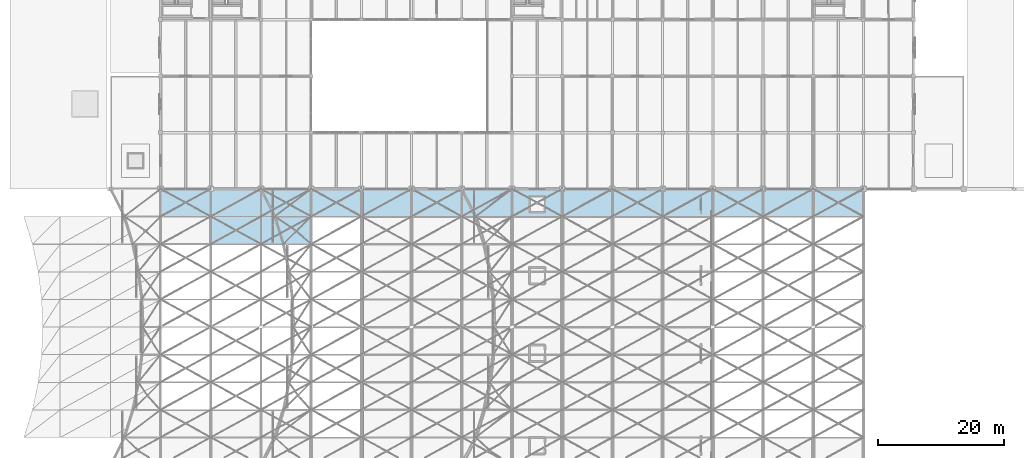
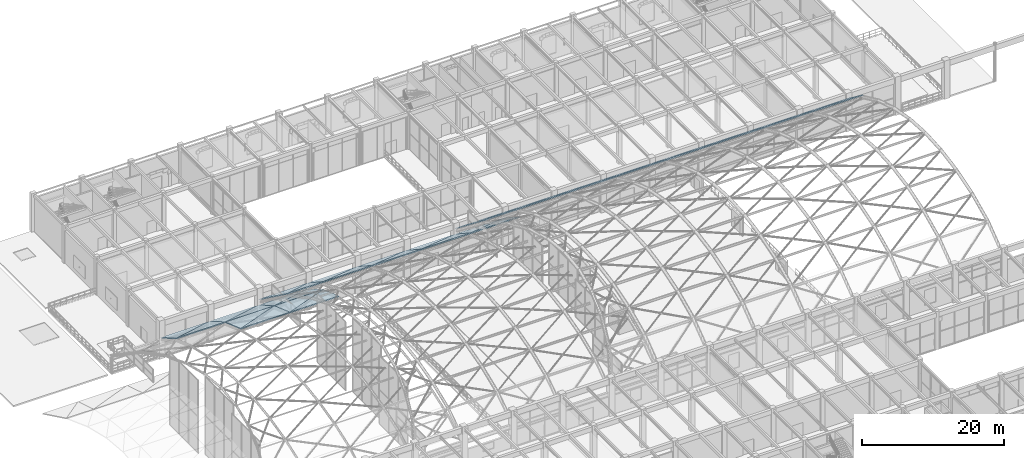
# One storey, part 139 of 163: 36 roofs.
"""IFC4 building model written with IfcOpenShell, lengths in metres."""

import ifcopenshell
import ifcopenshell.guid

model = None  # the IFC model being written
_history = None  # IfcOwnerHistory: only IFC2X3 demands one
_inside = {}  # id of a spatial element -> (the spatial element, [elements in it])
_under = {}  # id of a project, library or spatial element -> (it, [spatial elements below it])
_declared = {}  # id of a project -> (the project, [libraries it declares])
_typed = {}  # id of a type object -> (the type object, [elements of that type])
_made_of = {}  # id of a material, layer set ... -> (it, [elements and type objects made of it])


def new_model(schema):
    """Start an empty IFC model of exactly this schema.

    Asked for "IFC4X3", IfcOpenShell would pick the latest addendum, in which some entities
    have other attributes; the version numbers below select the first issue.
    IFC2X3 requires an IfcOwnerHistory on every rooted entity: one is made here for all.
    """
    global model, _history
    if schema == "IFC4X3":
        model = ifcopenshell.file(schema_version=(4, 3, 0, 0))
    else:
        model = ifcopenshell.file(schema=schema)
    _inside.clear()
    _under.clear()
    _declared.clear()
    _typed.clear()
    _made_of.clear()
    _history = None
    if model.schema == "IFC2X3":
        org = make("IfcOrganization", Name="unknown")
        user = make(
            "IfcPersonAndOrganization",
            ThePerson=make("IfcPerson", FamilyName="unknown"),
            TheOrganization=org,
        )
        app = make(
            "IfcApplication",
            ApplicationDeveloper=org,
            Version="unknown",
            ApplicationFullName="unknown",
            ApplicationIdentifier="unknown",
        )
        _history = make(
            "IfcOwnerHistory",
            OwningUser=user,
            OwningApplication=app,
            ChangeAction="ADDED",
            CreationDate=0,
        )
    return model


def make(cls, **values):
    """One entity of the class cls with the attributes given. An attribute that is None is left unset."""
    return model.create_entity(
        cls, **{name: value for name, value in values.items() if value is not None}
    )


def rooted(cls, **values):
    """An entity with a GlobalId (a new one), such as an element, a storey or a relation."""
    return make(cls, GlobalId=ifcopenshell.guid.new(), OwnerHistory=_history, **values)


def si_unit(unit_type, name, prefix=None):
    """IfcSIUnit, for example si_unit("LENGTHUNIT", "METRE", prefix="MILLI")."""
    return make("IfcSIUnit", UnitType=unit_type, Prefix=prefix, Name=name)


def assignment(units):
    """IfcUnitAssignment: the units of a project."""
    return None if units is None else make("IfcUnitAssignment", Units=units)


def point(xyz):
    """IfcCartesianPoint."""
    return None if xyz is None else make("IfcCartesianPoint", Coordinates=xyz)


def direction(xyz):
    """IfcDirection."""
    return None if xyz is None else make("IfcDirection", DirectionRatios=xyz)


def frame(location, z_axis=None, x_axis=None):
    """IfcAxis2Placement3D, a coordinate frame: its origin and axes. An axis left out is left unset."""
    return make(
        "IfcAxis2Placement3D",
        Location=point(location),
        Axis=direction(z_axis),
        RefDirection=direction(x_axis),
    )


def origin():
    """The frame at (0, 0, 0) with its axes left unset."""
    return frame((0.0, 0.0, 0.0))


def place(relative_to, where):
    """IfcLocalPlacement: puts the frame where relative to a parent placement (None: the world)."""
    return make(
        "IfcLocalPlacement", PlacementRelTo=relative_to, RelativePlacement=where
    )


def context(
    kind, dimensions, precision=None, world=None, true_north=None, identifier=None
):
    """IfcGeometricRepresentationContext, for example the 3D "Model" context."""
    return make(
        "IfcGeometricRepresentationContext",
        ContextIdentifier=identifier,
        ContextType=kind,
        CoordinateSpaceDimension=dimensions,
        Precision=precision,
        WorldCoordinateSystem=world,
        TrueNorth=true_north,
    )


def subcontext(parent, identifier, kind, view, scale=None):
    """IfcGeometricRepresentationSubContext, for example "Body" below "Model"."""
    return make(
        "IfcGeometricRepresentationSubContext",
        ContextIdentifier=identifier,
        ContextType=kind,
        ParentContext=parent,
        TargetScale=scale,
        TargetView=view,
    )


def project(units=None, contexts=None):
    """IfcProject with its units and contexts."""
    return rooted(
        "IfcProject",
        Name="project",
        RepresentationContexts=contexts,
        UnitsInContext=assignment(units),
    )


def spatial(cls, under=None, at=None, **own):
    """A site, building, storey or space (cls), placed at a placement, below another one or the project."""
    s = rooted(cls, ObjectPlacement=at, **own)
    if under is not None:
        _under.setdefault(under.id(), (under, []))[1].append(s)
    return s


def polyline(points):
    """IfcPolyline through the points."""
    return make("IfcPolyline", Points=[point(p) for p in points])


def outline(outer, holes=None, kind="AREA"):
    """IfcArbitraryClosedProfileDef: a profile drawn as a closed curve; with holes, ...WithVoids."""
    if holes is None:
        return make("IfcArbitraryClosedProfileDef", ProfileType=kind, OuterCurve=outer)
    return make(
        "IfcArbitraryProfileDefWithVoids",
        ProfileType=kind,
        OuterCurve=outer,
        InnerCurves=holes,
    )


def extrude(swept, where, along, depth):
    """IfcExtrudedAreaSolid: the profile swept, set in the frame where, extruded along a direction by depth."""
    return make(
        "IfcExtrudedAreaSolid",
        SweptArea=swept,
        Position=where,
        ExtrudedDirection=direction(along),
        Depth=depth,
    )


def shape(context_of_items, identifier, shape_type, items):
    """IfcShapeRepresentation: the items that make up one representation, for example the "Body"."""
    return make(
        "IfcShapeRepresentation",
        ContextOfItems=context_of_items,
        RepresentationIdentifier=identifier,
        RepresentationType=shape_type,
        Items=items,
    )


def material(Name=None, Category=None):
    """IfcMaterial."""
    return make("IfcMaterial", Name=Name, Category=Category)


def layer(
    of_material, thickness, ventilated=None, Name=None, Category=None, Priority=None
):
    """IfcMaterialLayer: one layer of a wall or slab, of a material (None: an air gap)."""
    return make(
        "IfcMaterialLayer",
        Material=of_material,
        LayerThickness=thickness,
        IsVentilated=ventilated,
        Name=Name,
        Category=Category,
        Priority=Priority,
    )


def layer_set(layers, Name=None):
    """IfcMaterialLayerSet."""
    return make("IfcMaterialLayerSet", MaterialLayers=layers, LayerSetName=Name)


def made_of(thing, what):
    """Note that an element or type object is made of a material, layer set ...; save() writes the relation."""
    if what is not None:
        _made_of.setdefault(what.id(), (what, []))[1].append(thing)
    return thing


def type_object(cls, material=None, **own):
    """A type object (cls), such as IfcWallType, which elements share."""
    return made_of(rooted(cls, **own), material)


def element(
    cls,
    number,
    at=None,
    inside=None,
    cuts=None,
    type_object=None,
    material=None,
    context=None,
    identifier="Body",
    shape_type=None,
    held_by="IfcProductDefinitionShape",
    body=None,
    shapes=None,
    **own,
):
    """One element of the class cls, such as IfcWall. Its Tag is "e" and its number.

    at: its placement. inside: the storey or other place that contains it. cuts: it is an
    opening in that element (IfcRelVoidsElement). A single representation is given by context,
    identifier, shape_type and body (its items); several are given by shapes. held_by: the class
    of the entity that holds the representations. save() writes the other relations.
    """
    e = rooted(cls, Tag="e%d" % number, ObjectPlacement=at, **own)
    if body is not None:
        shapes = [shape(context, identifier, shape_type, body)]
    if shapes is not None:
        e.Representation = make(held_by, Representations=shapes)
    if inside is not None:
        _inside.setdefault(inside.id(), (inside, []))[1].append(e)
    if cuts is not None:
        rooted(
            "IfcRelVoidsElement", RelatingBuildingElement=cuts, RelatedOpeningElement=e
        )
    if type_object is not None:
        _typed.setdefault(type_object.id(), (type_object, []))[1].append(e)
    return made_of(e, material)


def aggregate(whole, parts):
    """IfcRelAggregates: a whole, such as a stair, and the parts it consists of."""
    return rooted("IfcRelAggregates", RelatingObject=whole, RelatedObjects=parts)


def save(model, path):
    """Write the relations noted so far, then the file.

    IfcRelAggregates (storeys below a building ...), IfcRelContainedInSpatialStructure (elements
    in a storey), IfcRelDefinesByType, IfcRelAssociatesMaterial and IfcRelDeclares: one each for
    every whole, place, type object, material and project.
    """
    for whole, parts in _under.values():
        aggregate(whole, parts)
    for where, things in _inside.values():
        rooted(
            "IfcRelContainedInSpatialStructure",
            RelatedElements=things,
            RelatingStructure=where,
        )
    for kind, things in _typed.values():
        rooted("IfcRelDefinesByType", RelatedObjects=things, RelatingType=kind)
    for what, things in _made_of.values():
        rooted("IfcRelAssociatesMaterial", RelatedObjects=things, RelatingMaterial=what)
    for by, libraries in _declared.values():
        rooted("IfcRelDeclares", RelatingContext=by, RelatedDefinitions=libraries)
    model.write(path)


model = new_model("IFC4")

# Units and contexts
model_context = context("Model", 3, precision=1e-05, world=origin(), true_north=direction((0.0, 1.0)))
body_context = subcontext(model_context, "Body", "Model", "MODEL_VIEW")
ifc_project = project(units=[si_unit("LENGTHUNIT", "METRE"), si_unit("AREAUNIT", "SQUARE_METRE"), si_unit("VOLUMEUNIT", "CUBIC_METRE"), si_unit("PLANEANGLEUNIT", "RADIAN"), si_unit("MASSUNIT", "GRAM", prefix="KILO")], contexts=[model_context])

# Site, building, storey
site_placement = place(None, origin())
site = spatial("IfcSite", under=ifc_project, at=site_placement, CompositionType="ELEMENT")
building_placement = place(site_placement, origin())
building = spatial("IfcBuilding", under=site, at=building_placement, Name="Varnabhumi Central Station", CompositionType="ELEMENT")
storey_placement = place(building_placement, frame((0.0, 0.0, 9.60009765625)))
storey = spatial("IfcBuildingStorey", under=building, at=storey_placement, Name="L02", CompositionType="ELEMENT", Elevation=9.60009765625)

# Roofs
ifc_material = material(Name="Champagne bronze diamond metal panel")
ifc_layer = layer(ifc_material, 0.159912109375, Name="Champagne bronze diamond metal panel")
ifc_layer_set = layer_set([ifc_layer], Name="Champagne bronze diamond metal panel")
roof_type = type_object("IfcRoofType", Name="ROOF-VAULT-BARREL", PredefinedType="BARREL_ROOF", material=ifc_layer_set)
roof_1_placement = place(storey_placement, frame((24.0, 75.60009765625, 5.92626953125), z_axis=(0.0, 0.502121625762, 0.864797012565), x_axis=(1.0, 0.0, 0.0)))
element("IfcRoof", 1, at=roof_1_placement, inside=storey, type_object=roof_type, Name="Entrance Portico Vault Diamond Shell Panel 2-10A", PredefinedType="BARREL_ROOF", context=body_context, shape_type="SweptSolid", body=[
    extrude(outline(polyline([(0.0, 0.0), (8.0, 0.0), (8.0, 5.087786243268578), (0.0, 0.0)])), origin(), (0.0, 0.0, -1.0), 0.159912109375),
])
roof_2_placement = place(storey_placement, frame((24.0, 75.60009765625, 5.92626953125), z_axis=(0.0, 0.502121625762, 0.864797012565), x_axis=(0.843810647871, 0.464085555906, -0.26945906431)))
element("IfcRoof", 2, at=roof_2_placement, inside=storey, type_object=roof_type, Name="Entrance Portico Vault Diamond Shell Panel 2-10B", PredefinedType="BARREL_ROOF", context=body_context, shape_type="SweptSolid", body=[
    extrude(outline(polyline([(0.0, 0.0), (9.480800011454361, -2.220446049250313e-16), (2.7303148284869403, 4.293128206161252), (0.0, 0.0)])), origin(), (0.0, 0.0, -1.0), 0.159912109375),
])
roof_3_placement = place(storey_placement, frame((32.0, 71.199951171875, 7.484375), z_axis=(0.0, 0.336670653094, 0.941622467523), x_axis=(1.0, 0.0, 0.0)))
element("IfcRoof", 3, at=roof_3_placement, inside=storey, type_object=roof_type, Name="Entrance Portico Vault Diamond Shell Panel 3-9A", PredefinedType="BARREL_ROOF", context=body_context, shape_type="SweptSolid", body=[
    extrude(outline(polyline([(0.0, 0.0), (8.0, 0.0), (8.0, 4.6729412648232005), (0.0, 0.0)])), origin(), (0.0, 0.0, -1.0), 0.159912109375),
])
roof_4_placement = place(storey_placement, frame((32.0, 71.199951171875, 7.484375), z_axis=(0.0, 0.336670653094, 0.941622467523), x_axis=(0.86348399062, 0.474932005705, -0.169808680284)))
element("IfcRoof", 4, at=roof_4_placement, inside=storey, type_object=roof_type, Name="Entrance Portico Vault Diamond Shell Panel 3-9B", PredefinedType="BARREL_ROOF", context=body_context, shape_type="SweptSolid", body=[
    extrude(outline(polyline([(0.0, 0.0), (9.264792499807402, 5.551115123125783e-17), (2.3569205748473485, 4.035009971282438), (0.0, 0.0)])), origin(), (0.0, 0.0, -1.0), 0.159912109375),
])
roof_5_placement = place(storey_placement, frame((32.0, 75.60009765625, 5.92626953125), z_axis=(0.0, 0.502121625762, 0.864797012565), x_axis=(1.0, 0.0, 0.0)))
element("IfcRoof", 5, at=roof_5_placement, inside=storey, type_object=roof_type, Name="Entrance Portico Vault Diamond Shell Panel 3-10A", PredefinedType="BARREL_ROOF", context=body_context, shape_type="SweptSolid", body=[
    extrude(outline(polyline([(0.0, 0.0), (8.0, 0.0), (8.0, 5.087786243268578), (0.0, 0.0)])), origin(), (0.0, 0.0, -1.0), 0.159912109375),
])
roof_6_placement = place(storey_placement, frame((32.0, 75.60009765625, 5.92626953125), z_axis=(0.0, 0.502121625762, 0.864797012565), x_axis=(0.843810647871, 0.464085555906, -0.26945906431)))
element("IfcRoof", 6, at=roof_6_placement, inside=storey, type_object=roof_type, Name="Entrance Portico Vault Diamond Shell Panel 3-10B", PredefinedType="BARREL_ROOF", context=body_context, shape_type="SweptSolid", body=[
    extrude(outline(polyline([(0.0, 0.0), (9.480800011454361, -2.220446049250313e-16), (2.7303148284869403, 4.293128206161252), (0.0, 0.0)])), origin(), (0.0, 0.0, -1.0), 0.159912109375),
])
roof_7_placement = place(storey_placement, frame((40.0, 71.199951171875, 7.484375), z_axis=(0.0, 0.336670653094, 0.941622467523), x_axis=(1.0, 0.0, 0.0)))
element("IfcRoof", 7, at=roof_7_placement, inside=storey, type_object=roof_type, Name="Entrance Portico Vault Diamond Shell Panel 4-9A", PredefinedType="BARREL_ROOF", context=body_context, shape_type="SweptSolid", body=[
    extrude(outline(polyline([(0.0, 0.0), (8.0, 0.0), (8.0, 4.6729412648232005), (0.0, 0.0)])), origin(), (0.0, 0.0, -1.0), 0.159912109375),
])
roof_8_placement = place(storey_placement, frame((40.0, 71.199951171875, 7.484375), z_axis=(0.0, 0.336670653094, 0.941622467523), x_axis=(0.86348399062, 0.474932005705, -0.169808680284)))
element("IfcRoof", 8, at=roof_8_placement, inside=storey, type_object=roof_type, Name="Entrance Portico Vault Diamond Shell Panel 4-9B", PredefinedType="BARREL_ROOF", context=body_context, shape_type="SweptSolid", body=[
    extrude(outline(polyline([(0.0, 0.0), (9.264792499807402, 5.551115123125783e-17), (2.3569205748473485, 4.035009971282438), (0.0, 0.0)])), origin(), (0.0, 0.0, -1.0), 0.159912109375),
])
roof_9_placement = place(storey_placement, frame((40.0, 75.60009765625, 5.92626953125), z_axis=(0.0, 0.502121625762, 0.864797012565), x_axis=(1.0, 0.0, 0.0)))
element("IfcRoof", 9, at=roof_9_placement, inside=storey, type_object=roof_type, Name="Entrance Portico Vault Diamond Shell Panel 4-10A", PredefinedType="BARREL_ROOF", context=body_context, shape_type="SweptSolid", body=[
    extrude(outline(polyline([(0.0, 0.0), (8.0, 0.0), (8.0, 5.087786243268578), (0.0, 0.0)])), origin(), (0.0, 0.0, -1.0), 0.159912109375),
])
roof_10_placement = place(storey_placement, frame((40.0, 75.60009765625, 5.92626953125), z_axis=(0.0, 0.502121625762, 0.864797012565), x_axis=(0.843810647871, 0.464085555906, -0.26945906431)))
element("IfcRoof", 10, at=roof_10_placement, inside=storey, type_object=roof_type, Name="Entrance Portico Vault Diamond Shell Panel 4-10B", PredefinedType="BARREL_ROOF", context=body_context, shape_type="SweptSolid", body=[
    extrude(outline(polyline([(0.0, 0.0), (9.480800011454361, -2.220446049250313e-16), (2.7303148284869403, 4.293128206161252), (0.0, 0.0)])), origin(), (0.0, 0.0, -1.0), 0.159912109375),
])
roof_11_placement = place(storey_placement, frame((42.2138671875, 75.60009765625, 7.27392578125), z_axis=(0.0, 0.549662473503, 0.835386835677), x_axis=(1.0, 0.0, 0.0)))
element("IfcRoof", 11, at=roof_11_placement, inside=storey, type_object=roof_type, Name="Ticket Hall Vault Diamond Shell Panel 1-10A", PredefinedType="BARREL_ROOF", context=body_context, shape_type="SweptSolid", body=[
    extrude(outline(polyline([(0.0, 0.0), (5.7861328125, 0.0), (5.7861328125, 5.266904092619849), (0.0, 0.0)])), origin(), (0.0, 0.0, -1.0), 0.159912109375),
])
roof_12_placement = place(storey_placement, frame((42.2138671875, 75.60009765625, 7.27392578125), z_axis=(0.0, 0.549662473503, 0.835386835677), x_axis=(0.739508402459, 0.562338414731, -0.370003824319)))
element("IfcRoof", 12, at=roof_12_placement, inside=storey, type_object=roof_type, Name="Ticket Hall Vault Diamond Shell Panel 1-10B", PredefinedType="BARREL_ROOF", context=body_context, shape_type="SweptSolid", body=[
    extrude(outline(polyline([(0.0, 0.0), (7.8242962395825035, -2.220446049250313e-16), (1.9082290199101102, 5.385178609138028), (0.0, 0.0)])), origin(), (0.0, 0.0, -1.0), 0.159912109375),
])
roof_13_placement = place(storey_placement, frame((48.0, 75.60009765625, 7.27392578125), z_axis=(0.0, 0.549662473503, 0.835386835677), x_axis=(1.0, 0.0, 0.0)))
element("IfcRoof", 13, at=roof_13_placement, inside=storey, type_object=roof_type, Name="Ticket Hall Vault Diamond Shell Panel 2-10A", PredefinedType="BARREL_ROOF", context=body_context, shape_type="SweptSolid", body=[
    extrude(outline(polyline([(0.0, 0.0), (8.0, 0.0), (8.0, 5.266904092619849), (0.0, 0.0)])), origin(), (0.0, 0.0, -1.0), 0.159912109375),
])
roof_14_placement = place(storey_placement, frame((48.0, 75.60009765625, 7.27392578125), z_axis=(0.0, 0.549662473503, 0.835386835677), x_axis=(0.8352374511, 0.459370402335, -0.302253591771)))
element("IfcRoof", 14, at=roof_14_placement, inside=storey, type_object=roof_type, Name="Ticket Hall Vault Diamond Shell Panel 2-10B", PredefinedType="BARREL_ROOF", context=body_context, shape_type="SweptSolid", body=[
    extrude(outline(polyline([(0.0, 0.0), (9.578114570251063, 0.0), (2.896214961451289, 4.399115549507813), (0.0, 0.0)])), origin(), (0.0, 0.0, -1.0), 0.159912109375),
])
roof_15_placement = place(storey_placement, frame((56.0, 75.60009765625, 7.27392578125), z_axis=(0.0, 0.549662473503, 0.835386835677), x_axis=(1.0, 0.0, 0.0)))
element("IfcRoof", 15, at=roof_15_placement, inside=storey, type_object=roof_type, Name="Ticket Hall Vault Diamond Shell Panel 3-10A", PredefinedType="BARREL_ROOF", context=body_context, shape_type="SweptSolid", body=[
    extrude(outline(polyline([(0.0, 0.0), (8.0, 0.0), (8.0, 5.266904092619849), (0.0, 0.0)])), origin(), (0.0, 0.0, -1.0), 0.159912109375),
])
roof_16_placement = place(storey_placement, frame((56.0, 75.60009765625, 7.27392578125), z_axis=(0.0, 0.549662473503, 0.835386835677), x_axis=(0.8352374511, 0.459370402335, -0.302253591771)))
element("IfcRoof", 16, at=roof_16_placement, inside=storey, type_object=roof_type, Name="Ticket Hall Vault Diamond Shell Panel 3-10B", PredefinedType="BARREL_ROOF", context=body_context, shape_type="SweptSolid", body=[
    extrude(outline(polyline([(0.0, 0.0), (9.578114570251063, 0.0), (2.896214961451289, 4.399115549507813), (0.0, 0.0)])), origin(), (0.0, 0.0, -1.0), 0.159912109375),
])
roof_17_placement = place(storey_placement, frame((64.0, 75.60009765625, 7.27392578125), z_axis=(0.0, 0.549662473503, 0.835386835677), x_axis=(1.0, 0.0, 0.0)))
element("IfcRoof", 17, at=roof_17_placement, inside=storey, type_object=roof_type, Name="Ticket Hall Vault Diamond Shell Panel 4-10A", PredefinedType="BARREL_ROOF", context=body_context, shape_type="SweptSolid", body=[
    extrude(outline(polyline([(0.0, 0.0), (8.0, 0.0), (8.0, 5.266904092619849), (0.0, 0.0)])), origin(), (0.0, 0.0, -1.0), 0.159912109375),
])
roof_18_placement = place(storey_placement, frame((64.0, 75.60009765625, 7.27392578125), z_axis=(0.0, 0.549662473503, 0.835386835677), x_axis=(0.8352374511, 0.459370402335, -0.302253591771)))
element("IfcRoof", 18, at=roof_18_placement, inside=storey, type_object=roof_type, Name="Ticket Hall Vault Diamond Shell Panel 4-10B", PredefinedType="BARREL_ROOF", context=body_context, shape_type="SweptSolid", body=[
    extrude(outline(polyline([(0.0, 0.0), (9.578114570251063, 0.0), (2.896214961451289, 4.399115549507813), (0.0, 0.0)])), origin(), (0.0, 0.0, -1.0), 0.159912109375),
])
roof_19_placement = place(storey_placement, frame((72.0, 75.60009765625, 7.27392578125), z_axis=(0.0, 0.549662473503, 0.835386835677), x_axis=(1.0, 0.0, 0.0)))
element("IfcRoof", 19, at=roof_19_placement, inside=storey, type_object=roof_type, Name="Ticket Hall Vault Diamond Shell Panel 5-10A", PredefinedType="BARREL_ROOF", context=body_context, shape_type="SweptSolid", body=[
    extrude(outline(polyline([(0.0, 0.0), (8.0, 0.0), (8.0, 5.266904092619849), (0.0, 0.0)])), origin(), (0.0, 0.0, -1.0), 0.159912109375),
])
roof_20_placement = place(storey_placement, frame((72.0, 75.60009765625, 7.27392578125), z_axis=(0.0, 0.549662473503, 0.835386835677), x_axis=(0.8352374511, 0.459370402335, -0.302253591771)))
element("IfcRoof", 20, at=roof_20_placement, inside=storey, type_object=roof_type, Name="Ticket Hall Vault Diamond Shell Panel 5-10B", PredefinedType="BARREL_ROOF", context=body_context, shape_type="SweptSolid", body=[
    extrude(outline(polyline([(0.0, 0.0), (9.578114570251063, 0.0), (2.896214961451289, 4.399115549507813), (0.0, 0.0)])), origin(), (0.0, 0.0, -1.0), 0.159912109375),
])
roof_21_placement = place(storey_placement, frame((74.2138671875, 75.60009765625, 8.734375), z_axis=(0.0, 0.602448963057, 0.798157407352), x_axis=(1.0, 0.0, 0.0)))
element("IfcRoof", 21, at=roof_21_placement, inside=storey, type_object=roof_type, Name="Departure Concourse Vault Diamond Shell Panel 1-10A", PredefinedType="BARREL_ROOF", context=body_context, shape_type="SweptSolid", body=[
    extrude(outline(polyline([(0.0, 0.0), (5.7861328125, 0.0), (5.7861328125, 5.512574716740669), (0.0, 0.0)])), origin(), (0.0, 0.0, -1.0), 0.159912109375),
])
roof_22_placement = place(storey_placement, frame((74.2138671875, 75.60009765625, 8.734375), z_axis=(0.0, 0.602448963057, 0.798157407352), x_axis=(0.724014686313, 0.550556653026, -0.415559990629)))
element("IfcRoof", 22, at=roof_22_placement, inside=storey, type_object=roof_type, Name="Departure Concourse Vault Diamond Shell Panel 1-10B", PredefinedType="BARREL_ROOF", context=body_context, shape_type="SweptSolid", body=[
    extrude(outline(polyline([(0.0, 0.0), (7.991734037837948, 0.0), (2.1996165473361167, 5.518276449782375), (0.0, 0.0)])), origin(), (0.0, 0.0, -1.0), 0.159912109375),
])
roof_23_placement = place(storey_placement, frame((80.0, 75.60009765625, 8.734375), z_axis=(0.0, 0.602448963057, 0.798157407352), x_axis=(1.0, 0.0, 0.0)))
element("IfcRoof", 23, at=roof_23_placement, inside=storey, type_object=roof_type, Name="Departure Concourse Vault Diamond Shell Panel 2-10A", PredefinedType="BARREL_ROOF", context=body_context, shape_type="SweptSolid", body=[
    extrude(outline(polyline([(0.0, 0.0), (8.0, 0.0), (8.0, 5.512574716740669), (0.0, 0.0)])), origin(), (0.0, 0.0, -1.0), 0.159912109375),
])
roof_24_placement = place(storey_placement, frame((80.0, 75.60009765625, 8.734375), z_axis=(0.0, 0.602448963057, 0.798157407352), x_axis=(0.823437214719, 0.452880416372, -0.341833997553)))
element("IfcRoof", 24, at=roof_24_placement, inside=storey, type_object=roof_type, Name="Departure Concourse Vault Diamond Shell Panel 2-10B", PredefinedType="BARREL_ROOF", context=body_context, shape_type="SweptSolid", body=[
    extrude(outline(polyline([(0.0, 0.0), (9.71537338488071, 4.440892098500626e-16), (3.1278756671297607, 4.539259170682593), (0.0, 0.0)])), origin(), (0.0, 0.0, -1.0), 0.159912109375),
])
roof_25_placement = place(storey_placement, frame((88.0, 75.60009765625, 8.734375), z_axis=(0.0, 0.602448963057, 0.798157407352), x_axis=(1.0, 0.0, 0.0)))
element("IfcRoof", 25, at=roof_25_placement, inside=storey, type_object=roof_type, Name="Departure Concourse Vault Diamond Shell Panel 3-10A", PredefinedType="BARREL_ROOF", context=body_context, shape_type="SweptSolid", body=[
    extrude(outline(polyline([(0.0, 0.0), (8.0, 0.0), (8.0, 5.512574716740669), (0.0, 0.0)])), origin(), (0.0, 0.0, -1.0), 0.159912109375),
])
roof_26_placement = place(storey_placement, frame((88.0, 75.60009765625, 8.734375), z_axis=(0.0, 0.602448963057, 0.798157407352), x_axis=(0.823437214719, 0.452880416372, -0.341833997553)))
element("IfcRoof", 26, at=roof_26_placement, inside=storey, type_object=roof_type, Name="Departure Concourse Vault Diamond Shell Panel 3-10B", PredefinedType="BARREL_ROOF", context=body_context, shape_type="SweptSolid", body=[
    extrude(outline(polyline([(0.0, 0.0), (9.71537338488071, 4.440892098500626e-16), (3.1278756671297607, 4.539259170682593), (0.0, 0.0)])), origin(), (0.0, 0.0, -1.0), 0.159912109375),
])
roof_27_placement = place(storey_placement, frame((96.0, 75.60009765625, 8.734375), z_axis=(0.0, 0.602448963057, 0.798157407352), x_axis=(1.0, 0.0, 0.0)))
element("IfcRoof", 27, at=roof_27_placement, inside=storey, type_object=roof_type, Name="Departure Concourse Vault Diamond Shell Panel 4-10A", PredefinedType="BARREL_ROOF", context=body_context, shape_type="SweptSolid", body=[
    extrude(outline(polyline([(0.0, 0.0), (8.0, 0.0), (8.0, 5.512574716740669), (0.0, 0.0)])), origin(), (0.0, 0.0, -1.0), 0.159912109375),
])
roof_28_placement = place(storey_placement, frame((96.0, 75.60009765625, 8.734375), z_axis=(0.0, 0.602448963057, 0.798157407352), x_axis=(0.823437214719, 0.452880416372, -0.341833997553)))
element("IfcRoof", 28, at=roof_28_placement, inside=storey, type_object=roof_type, Name="Departure Concourse Vault Diamond Shell Panel 4-10B", PredefinedType="BARREL_ROOF", context=body_context, shape_type="SweptSolid", body=[
    extrude(outline(polyline([(0.0, 0.0), (9.71537338488071, 4.440892098500626e-16), (3.1278756671297607, 4.539259170682593), (0.0, 0.0)])), origin(), (0.0, 0.0, -1.0), 0.159912109375),
])
roof_29_placement = place(storey_placement, frame((104.0, 75.60009765625, 8.734375), z_axis=(0.0, 0.602448963057, 0.798157407352), x_axis=(1.0, 0.0, 0.0)))
element("IfcRoof", 29, at=roof_29_placement, inside=storey, type_object=roof_type, Name="Departure Concourse Vault Diamond Shell Panel 5-10A", PredefinedType="BARREL_ROOF", context=body_context, shape_type="SweptSolid", body=[
    extrude(outline(polyline([(0.0, 0.0), (8.0, 0.0), (8.0, 5.512574716740669), (0.0, 0.0)])), origin(), (0.0, 0.0, -1.0), 0.159912109375),
])
roof_30_placement = place(storey_placement, frame((104.0, 75.60009765625, 8.734375), z_axis=(0.0, 0.602448963057, 0.798157407352), x_axis=(0.823437214719, 0.452880416372, -0.341833997553)))
element("IfcRoof", 30, at=roof_30_placement, inside=storey, type_object=roof_type, Name="Departure Concourse Vault Diamond Shell Panel 5-10B", PredefinedType="BARREL_ROOF", context=body_context, shape_type="SweptSolid", body=[
    extrude(outline(polyline([(0.0, 0.0), (9.71537338488071, 4.440892098500626e-16), (3.1278756671297607, 4.539259170682593), (0.0, 0.0)])), origin(), (0.0, 0.0, -1.0), 0.159912109375),
])
roof_31_placement = place(storey_placement, frame((112.0, 75.60009765625, 8.734375), z_axis=(0.0, 0.602448963057, 0.798157407352), x_axis=(1.0, 0.0, 0.0)))
element("IfcRoof", 31, at=roof_31_placement, inside=storey, type_object=roof_type, Name="Departure Concourse Vault Diamond Shell Panel 6-10A", PredefinedType="BARREL_ROOF", context=body_context, shape_type="SweptSolid", body=[
    extrude(outline(polyline([(0.0, 0.0), (8.0, 0.0), (8.0, 5.512574716740669), (0.0, 0.0)])), origin(), (0.0, 0.0, -1.0), 0.159912109375),
])
roof_32_placement = place(storey_placement, frame((112.0, 75.60009765625, 8.734375), z_axis=(0.0, 0.602448963057, 0.798157407352), x_axis=(0.823437214719, 0.452880416372, -0.341833997553)))
element("IfcRoof", 32, at=roof_32_placement, inside=storey, type_object=roof_type, Name="Departure Concourse Vault Diamond Shell Panel 6-10B", PredefinedType="BARREL_ROOF", context=body_context, shape_type="SweptSolid", body=[
    extrude(outline(polyline([(0.0, 0.0), (9.71537338488071, 4.440892098500626e-16), (3.1278756671297607, 4.539259170682593), (0.0, 0.0)])), origin(), (0.0, 0.0, -1.0), 0.159912109375),
])
roof_33_placement = place(storey_placement, frame((120.0, 75.60009765625, 8.734375), z_axis=(0.0, 0.602448963057, 0.798157407352), x_axis=(1.0, 0.0, 0.0)))
element("IfcRoof", 33, at=roof_33_placement, inside=storey, type_object=roof_type, Name="Departure Concourse Vault Diamond Shell Panel 7-10A", PredefinedType="BARREL_ROOF", context=body_context, shape_type="SweptSolid", body=[
    extrude(outline(polyline([(0.0, 0.0), (8.0, 0.0), (8.0, 5.512574716740669), (0.0, 0.0)])), origin(), (0.0, 0.0, -1.0), 0.159912109375),
])
roof_34_placement = place(storey_placement, frame((120.0, 75.60009765625, 8.734375), z_axis=(0.0, 0.602448963057, 0.798157407352), x_axis=(0.823437214719, 0.452880416372, -0.341833997553)))
element("IfcRoof", 34, at=roof_34_placement, inside=storey, type_object=roof_type, Name="Departure Concourse Vault Diamond Shell Panel 7-10B", PredefinedType="BARREL_ROOF", context=body_context, shape_type="SweptSolid", body=[
    extrude(outline(polyline([(0.0, 0.0), (9.71537338488071, 4.440892098500626e-16), (3.1278756671297607, 4.539259170682593), (0.0, 0.0)])), origin(), (0.0, 0.0, -1.0), 0.159912109375),
])
roof_35_placement = place(storey_placement, frame((128.0, 75.60009765625, 8.734375), z_axis=(0.0, 0.602448963057, 0.798157407352), x_axis=(1.0, 0.0, 0.0)))
element("IfcRoof", 35, at=roof_35_placement, inside=storey, type_object=roof_type, Name="Departure Concourse Vault Diamond Shell Panel 8-10A", PredefinedType="BARREL_ROOF", context=body_context, shape_type="SweptSolid", body=[
    extrude(outline(polyline([(0.0, 0.0), (8.0, 0.0), (8.0, 5.512574716740669), (0.0, 0.0)])), origin(), (0.0, 0.0, -1.0), 0.159912109375),
])
roof_36_placement = place(storey_placement, frame((128.0, 75.60009765625, 8.734375), z_axis=(0.0, 0.602448963057, 0.798157407352), x_axis=(0.823437214719, 0.452880416372, -0.341833997553)))
element("IfcRoof", 36, at=roof_36_placement, inside=storey, type_object=roof_type, Name="Departure Concourse Vault Diamond Shell Panel 8-10B", PredefinedType="BARREL_ROOF", context=body_context, shape_type="SweptSolid", body=[
    extrude(outline(polyline([(0.0, 0.0), (9.71537338488071, 4.440892098500626e-16), (3.1278756671297607, 4.539259170682593), (0.0, 0.0)])), origin(), (0.0, 0.0, -1.0), 0.159912109375),
])

save(model, "model.ifc")
